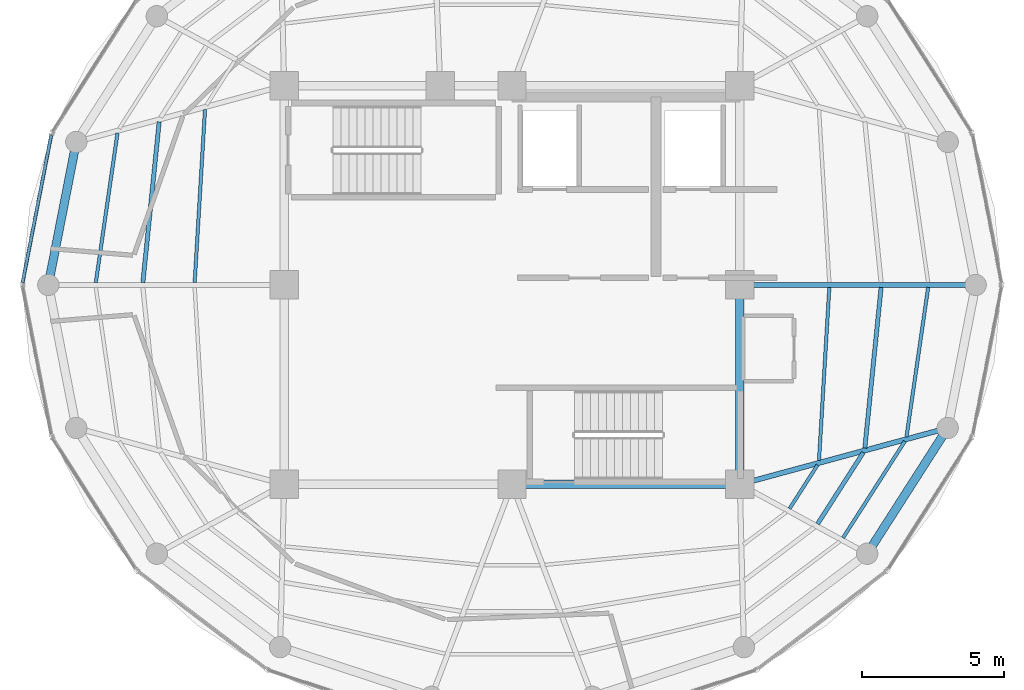
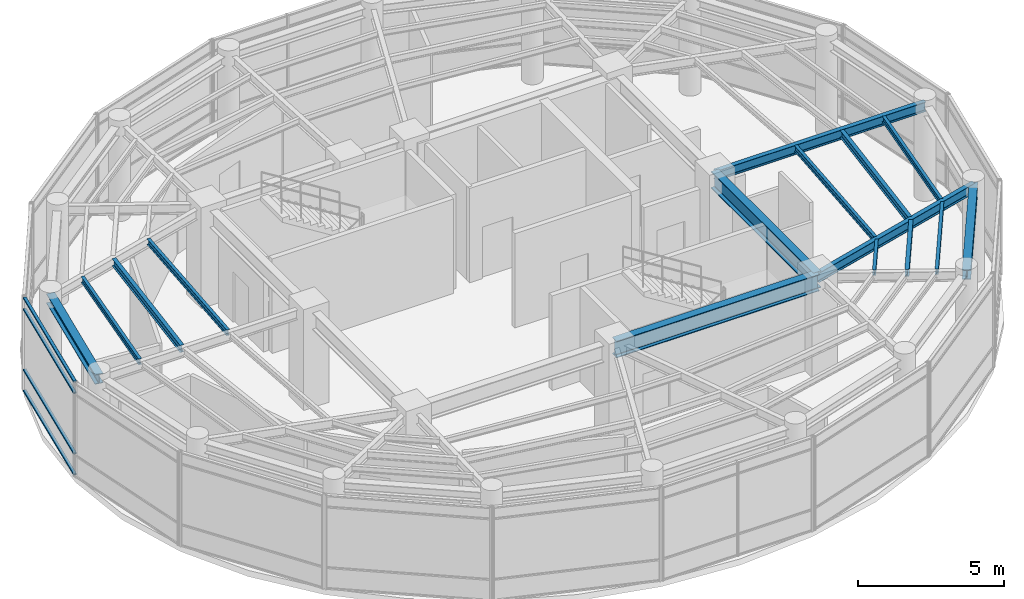
# One storey, part 8 of 19: 15 beams, 4 members, 1 element without a shape of its own.
"""IFC4 building model written with IfcOpenShell, lengths in metres."""

import ifcopenshell
import ifcopenshell.guid

model = None  # the IFC model being written
_history = None  # IfcOwnerHistory: only IFC2X3 demands one
_inside = {}  # id of a spatial element -> (the spatial element, [elements in it])
_under = {}  # id of a project, library or spatial element -> (it, [spatial elements below it])
_declared = {}  # id of a project -> (the project, [libraries it declares])
_typed = {}  # id of a type object -> (the type object, [elements of that type])
_made_of = {}  # id of a material, layer set ... -> (it, [elements and type objects made of it])


def new_model(schema):
    """Start an empty IFC model of exactly this schema.

    Asked for "IFC4X3", IfcOpenShell would pick the latest addendum, in which some entities
    have other attributes; the version numbers below select the first issue.
    IFC2X3 requires an IfcOwnerHistory on every rooted entity: one is made here for all.
    """
    global model, _history
    if schema == "IFC4X3":
        model = ifcopenshell.file(schema_version=(4, 3, 0, 0))
    else:
        model = ifcopenshell.file(schema=schema)
    _inside.clear()
    _under.clear()
    _declared.clear()
    _typed.clear()
    _made_of.clear()
    _history = None
    if model.schema == "IFC2X3":
        org = make("IfcOrganization", Name="unknown")
        user = make(
            "IfcPersonAndOrganization",
            ThePerson=make("IfcPerson", FamilyName="unknown"),
            TheOrganization=org,
        )
        app = make(
            "IfcApplication",
            ApplicationDeveloper=org,
            Version="unknown",
            ApplicationFullName="unknown",
            ApplicationIdentifier="unknown",
        )
        _history = make(
            "IfcOwnerHistory",
            OwningUser=user,
            OwningApplication=app,
            ChangeAction="ADDED",
            CreationDate=0,
        )
    return model


def make(cls, **values):
    """One entity of the class cls with the attributes given. An attribute that is None is left unset."""
    return model.create_entity(
        cls, **{name: value for name, value in values.items() if value is not None}
    )


def rooted(cls, **values):
    """An entity with a GlobalId (a new one), such as an element, a storey or a relation."""
    return make(cls, GlobalId=ifcopenshell.guid.new(), OwnerHistory=_history, **values)


def si_unit(unit_type, name, prefix=None):
    """IfcSIUnit, for example si_unit("LENGTHUNIT", "METRE", prefix="MILLI")."""
    return make("IfcSIUnit", UnitType=unit_type, Prefix=prefix, Name=name)


def assignment(units):
    """IfcUnitAssignment: the units of a project."""
    return None if units is None else make("IfcUnitAssignment", Units=units)


def point(xyz):
    """IfcCartesianPoint."""
    return None if xyz is None else make("IfcCartesianPoint", Coordinates=xyz)


def direction(xyz):
    """IfcDirection."""
    return None if xyz is None else make("IfcDirection", DirectionRatios=xyz)


def frame(location, z_axis=None, x_axis=None):
    """IfcAxis2Placement3D, a coordinate frame: its origin and axes. An axis left out is left unset."""
    return make(
        "IfcAxis2Placement3D",
        Location=point(location),
        Axis=direction(z_axis),
        RefDirection=direction(x_axis),
    )


def frame_2d(location, x_axis=None):
    """IfcAxis2Placement2D, a coordinate frame in the plane: its origin and x axis."""
    return make(
        "IfcAxis2Placement2D", Location=point(location), RefDirection=direction(x_axis)
    )


def origin():
    """The frame at (0, 0, 0) with its axes left unset."""
    return frame((0.0, 0.0, 0.0))


def origin_2d():
    """The frame at (0, 0) in the plane with its x axis left unset."""
    return frame_2d((0.0, 0.0))


def place(relative_to, where):
    """IfcLocalPlacement: puts the frame where relative to a parent placement (None: the world)."""
    return make(
        "IfcLocalPlacement", PlacementRelTo=relative_to, RelativePlacement=where
    )


def context(
    kind, dimensions, precision=None, world=None, true_north=None, identifier=None
):
    """IfcGeometricRepresentationContext, for example the 3D "Model" context."""
    return make(
        "IfcGeometricRepresentationContext",
        ContextIdentifier=identifier,
        ContextType=kind,
        CoordinateSpaceDimension=dimensions,
        Precision=precision,
        WorldCoordinateSystem=world,
        TrueNorth=true_north,
    )


def subcontext(parent, identifier, kind, view, scale=None):
    """IfcGeometricRepresentationSubContext, for example "Body" below "Model"."""
    return make(
        "IfcGeometricRepresentationSubContext",
        ContextIdentifier=identifier,
        ContextType=kind,
        ParentContext=parent,
        TargetScale=scale,
        TargetView=view,
    )


def project(units=None, contexts=None):
    """IfcProject with its units and contexts."""
    return rooted(
        "IfcProject",
        Name="project",
        RepresentationContexts=contexts,
        UnitsInContext=assignment(units),
    )


def spatial(cls, under=None, at=None, **own):
    """A site, building, storey or space (cls), placed at a placement, below another one or the project."""
    s = rooted(cls, ObjectPlacement=at, **own)
    if under is not None:
        _under.setdefault(under.id(), (under, []))[1].append(s)
    return s


def profile(cls, at=None, kind="AREA", **sizes):
    """A parametric profile (cls). Its sizes go by their IFC names, for example OverallWidth=200.0."""
    return make(cls, ProfileType=kind, Position=at, **sizes)


def hollow_rectangle(**sizes):
    """IfcRectangleHollowProfileDef."""
    return profile("IfcRectangleHollowProfileDef", **sizes)


def i_section(**sizes):
    """IfcIShapeProfileDef."""
    return profile("IfcIShapeProfileDef", **sizes)


def extrude(swept, where, along, depth):
    """IfcExtrudedAreaSolid: the profile swept, set in the frame where, extruded along a direction by depth."""
    return make(
        "IfcExtrudedAreaSolid",
        SweptArea=swept,
        Position=where,
        ExtrudedDirection=direction(along),
        Depth=depth,
    )


def shape(context_of_items, identifier, shape_type, items):
    """IfcShapeRepresentation: the items that make up one representation, for example the "Body"."""
    return make(
        "IfcShapeRepresentation",
        ContextOfItems=context_of_items,
        RepresentationIdentifier=identifier,
        RepresentationType=shape_type,
        Items=items,
    )


def material(Name=None, Category=None):
    """IfcMaterial."""
    return make("IfcMaterial", Name=Name, Category=Category)


def layer(
    of_material, thickness, ventilated=None, Name=None, Category=None, Priority=None
):
    """IfcMaterialLayer: one layer of a wall or slab, of a material (None: an air gap)."""
    return make(
        "IfcMaterialLayer",
        Material=of_material,
        LayerThickness=thickness,
        IsVentilated=ventilated,
        Name=Name,
        Category=Category,
        Priority=Priority,
    )


def layer_set(layers, Name=None):
    """IfcMaterialLayerSet."""
    return make("IfcMaterialLayerSet", MaterialLayers=layers, LayerSetName=Name)


def material_profile(
    of_material, cross_section, Name=None, Category=None, Priority=None
):
    """IfcMaterialProfile: a cross section and its material."""
    return make(
        "IfcMaterialProfile",
        Name=Name,
        Material=of_material,
        Profile=cross_section,
        Priority=Priority,
        Category=Category,
    )


def profile_set(profiles, Name=None, composite=None):
    """IfcMaterialProfileSet."""
    return make(
        "IfcMaterialProfileSet",
        Name=Name,
        MaterialProfiles=profiles,
        CompositeProfile=composite,
    )


def made_of(thing, what):
    """Note that an element or type object is made of a material, layer set ...; save() writes the relation."""
    if what is not None:
        _made_of.setdefault(what.id(), (what, []))[1].append(thing)
    return thing


def type_object(cls, material=None, **own):
    """A type object (cls), such as IfcWallType, which elements share."""
    return made_of(rooted(cls, **own), material)


def element(
    cls,
    number,
    at=None,
    inside=None,
    cuts=None,
    type_object=None,
    material=None,
    context=None,
    identifier="Body",
    shape_type=None,
    held_by="IfcProductDefinitionShape",
    body=None,
    shapes=None,
    **own,
):
    """One element of the class cls, such as IfcWall. Its Tag is "e" and its number.

    at: its placement. inside: the storey or other place that contains it. cuts: it is an
    opening in that element (IfcRelVoidsElement). A single representation is given by context,
    identifier, shape_type and body (its items); several are given by shapes. held_by: the class
    of the entity that holds the representations. save() writes the other relations.
    """
    e = rooted(cls, Tag="e%d" % number, ObjectPlacement=at, **own)
    if body is not None:
        shapes = [shape(context, identifier, shape_type, body)]
    if shapes is not None:
        e.Representation = make(held_by, Representations=shapes)
    if inside is not None:
        _inside.setdefault(inside.id(), (inside, []))[1].append(e)
    if cuts is not None:
        rooted(
            "IfcRelVoidsElement", RelatingBuildingElement=cuts, RelatedOpeningElement=e
        )
    if type_object is not None:
        _typed.setdefault(type_object.id(), (type_object, []))[1].append(e)
    return made_of(e, material)


def aggregate(whole, parts):
    """IfcRelAggregates: a whole, such as a stair, and the parts it consists of."""
    return rooted("IfcRelAggregates", RelatingObject=whole, RelatedObjects=parts)


def save(model, path):
    """Write the relations noted so far, then the file.

    IfcRelAggregates (storeys below a building ...), IfcRelContainedInSpatialStructure (elements
    in a storey), IfcRelDefinesByType, IfcRelAssociatesMaterial and IfcRelDeclares: one each for
    every whole, place, type object, material and project.
    """
    for whole, parts in _under.values():
        aggregate(whole, parts)
    for where, things in _inside.values():
        rooted(
            "IfcRelContainedInSpatialStructure",
            RelatedElements=things,
            RelatingStructure=where,
        )
    for kind, things in _typed.values():
        rooted("IfcRelDefinesByType", RelatedObjects=things, RelatingType=kind)
    for what, things in _made_of.values():
        rooted("IfcRelAssociatesMaterial", RelatedObjects=things, RelatingMaterial=what)
    for by, libraries in _declared.values():
        rooted("IfcRelDeclares", RelatingContext=by, RelatedDefinitions=libraries)
    model.write(path)


model = new_model("IFC4")

# Units and contexts
model_context = context("Model", 3, precision=1e-05, world=origin(), true_north=direction((0.0, 1.0)))
body_context = subcontext(model_context, "Body", "Model", "MODEL_VIEW")
ifc_project = project(units=[si_unit("LENGTHUNIT", "METRE"), si_unit("AREAUNIT", "SQUARE_METRE"), si_unit("VOLUMEUNIT", "CUBIC_METRE"), si_unit("PLANEANGLEUNIT", "RADIAN"), si_unit("MASSUNIT", "GRAM", prefix="KILO")], contexts=[model_context])

# Site, building, storey
site_placement = place(None, origin())
site = spatial("IfcSite", under=ifc_project, at=site_placement, CompositionType="ELEMENT")
building_placement = place(site_placement, origin())
building = spatial("IfcBuilding", under=site, at=building_placement, Name="Kelanora Arch Commons", CompositionType="ELEMENT")
storey_placement = place(building_placement, frame((0.0, 0.0, 302.699951171875)))
storey = spatial("IfcBuildingStorey", under=building, at=storey_placement, Name="L77", CompositionType="ELEMENT", Elevation=302.699951171875)

# Beams
ifc_material_1 = material(Name="Steel S355", Category="steel")
ifc_material_profile_1 = material_profile(ifc_material_1, i_section(OverallWidth=0.300048828125, OverallDepth=0.699951171875, WebThickness=0.01708984375, FlangeThickness=0.031982421875, FilletRadius=0.027099609375, at=origin_2d()), Name="HEB700")
ifc_profile_set_1 = profile_set([ifc_material_profile_1], Name="Steel S355")
beam_type_1 = type_object("IfcBeamType", Name="BM-CORE-HDR", PredefinedType="BEAM", material=ifc_profile_set_1)
beam_1_placement = place(storey_placement, frame((74.0, 51.0, 3.590087890625), z_axis=(1.0, 0.0, 0.0), x_axis=(0.0, 1.0, 0.0)))
element("IfcBeam", 1, at=beam_1_placement, inside=storey, type_object=beam_type_1, Name="Core Header Beam 02 L77", PredefinedType="BEAM", context=body_context, shape_type="SweptSolid", body=[
    extrude(i_section(OverallWidth=0.300048828125, OverallDepth=0.699951171875, WebThickness=0.01708984375, FlangeThickness=0.031982421875, FilletRadius=0.027099609375, at=origin_2d()), origin(), (0.0, 0.0, 1.0), 8.0),
])
beam_2_placement = place(storey_placement, frame((82.0, 51.0, 3.590087890625), z_axis=(0.0, 1.0, 0.0), x_axis=(-1.0, 0.0, 0.0)))
element("IfcBeam", 2, at=beam_2_placement, inside=storey, type_object=beam_type_1, Name="Core Header Beam 03 L77", PredefinedType="BEAM", context=body_context, shape_type="SweptSolid", body=[
    extrude(i_section(OverallWidth=0.300048828125, OverallDepth=0.699951171875, WebThickness=0.01708984375, FlangeThickness=0.031982421875, FilletRadius=0.027099609375, at=origin_2d()), origin(), (0.0, 0.0, 1.0), 7.0),
])
ifc_material_profile_2 = material_profile(ifc_material_1, i_section(OverallWidth=0.14990234375, OverallDepth=0.300048828125, WebThickness=0.007080078125, FlangeThickness=0.0107421875, FilletRadius=0.014892578125, at=origin_2d()), Name="IPE300")
ifc_profile_set_2 = profile_set([ifc_material_profile_2], Name="Steel S355")
beam_type_2 = type_object("IfcBeamType", Name="BM-JST-01", PredefinedType="JOIST", material=ifc_profile_set_2)
beam_3_placement = place(storey_placement, frame((61.612548828125, 63.72802734375, 3.7900390625), z_axis=(-0.100846008885, -0.994902046682, 0.0), x_axis=(0.994902046682, -0.100846008885, 0.0)))
element("IfcBeam", 3, at=beam_3_placement, inside=storey, type_object=beam_type_2, Name="Secondary Chord Joist BJB-16 L77", PredefinedType="JOIST", context=body_context, shape_type="SweptSolid", body=[
    extrude(i_section(OverallWidth=0.14990234375, OverallDepth=0.300048828125, WebThickness=0.007080078125, FlangeThickness=0.0107421875, FilletRadius=0.014892578125, at=origin_2d()), origin(), (0.0, 0.0, 1.0), 5.672119140625),
])
beam_4_placement = place(storey_placement, frame((84.728515625, 49.60986328125, 3.7900390625), z_axis=(0.539193378054, 0.84218198809, 0.0), x_axis=(-0.84218198809, 0.539193378054, 0.0)))
element("IfcBeam", 4, at=beam_4_placement, inside=storey, type_object=beam_type_2, Name="Secondary Chord Joist BJB-32 L77", PredefinedType="JOIST", context=body_context, shape_type="SweptSolid", body=[
    extrude(i_section(OverallWidth=0.14990234375, OverallDepth=0.300048828125, WebThickness=0.007080078125, FlangeThickness=0.0107421875, FilletRadius=0.014892578125, at=origin_2d()), origin(), (0.0, 0.0, 1.0), 2.975830078125),
])
beam_5_placement = place(storey_placement, frame((86.387451171875, 52.27197265625, 3.7900390625), z_axis=(0.100846008885, 0.994902046682, 0.0), x_axis=(-0.994902046682, 0.100846008885, 0.0)))
element("IfcBeam", 5, at=beam_5_placement, inside=storey, type_object=beam_type_2, Name="Secondary Chord Joist BJB-34 L77", PredefinedType="JOIST", context=body_context, shape_type="SweptSolid", body=[
    extrude(i_section(OverallWidth=0.14990234375, OverallDepth=0.300048828125, WebThickness=0.007080078125, FlangeThickness=0.0107421875, FilletRadius=0.014892578125, at=origin_2d()), origin(), (0.0, 0.0, 1.0), 5.672119140625),
])
ifc_material_profile_3 = material_profile(ifc_material_1, i_section(OverallWidth=0.1201171875, OverallDepth=0.239990234375, WebThickness=0.006103515625, FlangeThickness=0.009765625, FilletRadius=0.014892578125, at=origin_2d()), Name="IPE240")
ifc_profile_set_3 = profile_set([ifc_material_profile_3], Name="Steel S355")
beam_type_3 = type_object("IfcBeamType", Name="BM-JST-02", PredefinedType="JOIST", material=ifc_profile_set_3)
beam_6_placement = place(storey_placement, frame((63.2216796875, 64.1630859375, 3.820068359375), z_axis=(-0.059619828045, -0.998221155909, 0.0), x_axis=(0.998221155909, -0.059619828045, 0.0)))
element("IfcBeam", 6, at=beam_6_placement, inside=storey, type_object=beam_type_3, Name="Secondary Chord Joist BJA-16 L77", PredefinedType="JOIST", context=body_context, shape_type="SweptSolid", body=[
    extrude(i_section(OverallWidth=0.1201171875, OverallDepth=0.239990234375, WebThickness=0.006103515625, FlangeThickness=0.009765625, FilletRadius=0.014892578125, at=origin_2d()), origin(), (0.0, 0.0, 1.0), 6.089111328125),
])
beam_7_placement = place(storey_placement, frame((60.149169921875, 63.33251953125, 3.820068359375), z_axis=(-0.143489842264, -0.989651789857, 0.0), x_axis=(0.989651789857, -0.143489842264, 0.0)))
element("IfcBeam", 7, at=beam_7_placement, inside=storey, type_object=beam_type_3, Name="Secondary Chord Joist BJC-16 L77", PredefinedType="JOIST", context=body_context, shape_type="SweptSolid", body=[
    extrude(i_section(OverallWidth=0.1201171875, OverallDepth=0.239990234375, WebThickness=0.006103515625, FlangeThickness=0.009765625, FilletRadius=0.014892578125, at=origin_2d()), origin(), (0.0, 0.0, 1.0), 5.303466796875),
])
beam_8_placement = place(storey_placement, frame((83.744873046875, 50.14599609375, 3.820068359375), z_axis=(0.539300812993, 0.842113194947, 0.0), x_axis=(-0.842113194947, 0.539300812993, 0.0)))
element("IfcBeam", 8, at=beam_8_placement, inside=storey, type_object=beam_type_3, Name="Secondary Chord Joist BJA-32 L77", PredefinedType="JOIST", context=body_context, shape_type="SweptSolid", body=[
    extrude(i_section(OverallWidth=0.1201171875, OverallDepth=0.239990234375, WebThickness=0.006103515625, FlangeThickness=0.009765625, FilletRadius=0.014892578125, at=origin_2d()), origin(), (0.0, 0.0, 1.0), 1.822021484375),
])
beam_9_placement = place(storey_placement, frame((85.622802734375, 49.122802734375, 3.820068359375), z_axis=(0.539232732312, 0.842156790867, 0.0), x_axis=(-0.842156790867, 0.539232732312, 0.0)))
element("IfcBeam", 9, at=beam_9_placement, inside=storey, type_object=beam_type_3, Name="Secondary Chord Joist BJC-32 L77", PredefinedType="JOIST", context=body_context, shape_type="SweptSolid", body=[
    extrude(i_section(OverallWidth=0.1201171875, OverallDepth=0.239990234375, WebThickness=0.006103515625, FlangeThickness=0.009765625, FilletRadius=0.014892578125, at=origin_2d()), origin(), (0.0, 0.0, 1.0), 4.024169921875),
])
beam_10_placement = place(storey_placement, frame((84.7783203125, 51.8369140625, 3.820068359375), z_axis=(0.059619828045, 0.998221155909, 0.0), x_axis=(-0.998221155909, 0.059619828045, 0.0)))
element("IfcBeam", 10, at=beam_10_placement, inside=storey, type_object=beam_type_3, Name="Secondary Chord Joist BJA-34 L77", PredefinedType="JOIST", context=body_context, shape_type="SweptSolid", body=[
    extrude(i_section(OverallWidth=0.1201171875, OverallDepth=0.239990234375, WebThickness=0.006103515625, FlangeThickness=0.009765625, FilletRadius=0.014892578125, at=origin_2d()), origin(), (0.0, 0.0, 1.0), 6.089111328125),
])
beam_11_placement = place(storey_placement, frame((87.850830078125, 52.66748046875, 3.820068359375), z_axis=(0.143489842264, 0.989651789857, 0.0), x_axis=(-0.989651789857, 0.143489842264, 0.0)))
element("IfcBeam", 11, at=beam_11_placement, inside=storey, type_object=beam_type_3, Name="Secondary Chord Joist BJC-34 L77", PredefinedType="JOIST", context=body_context, shape_type="SweptSolid", body=[
    extrude(i_section(OverallWidth=0.1201171875, OverallDepth=0.239990234375, WebThickness=0.006103515625, FlangeThickness=0.009765625, FilletRadius=0.014892578125, at=origin_2d()), origin(), (0.0, 0.0, 1.0), 5.303466796875),
])
ifc_material_profile_4 = material_profile(ifc_material_1, i_section(OverallWidth=0.179931640625, OverallDepth=0.39990234375, WebThickness=0.008544921875, FlangeThickness=0.013427734375, FilletRadius=0.02099609375, at=origin_2d()), Name="IPE400")
ifc_profile_set_4 = profile_set([ifc_material_profile_4], Name="Steel S355")
beam_type_4 = type_object("IfcBeamType", Name="BM-RAD-Z5", PredefinedType="BEAM", material=ifc_profile_set_4)
beam_12_placement = place(storey_placement, frame((82.0, 58.0, 3.739990234375), z_axis=(1.0, 0.0, 0.0), x_axis=(0.0, 1.0, 0.0)))
element("IfcBeam", 12, at=beam_12_placement, inside=storey, type_object=beam_type_4, Name="Radial Floor Girder BR-00 L77", PredefinedType="BEAM", context=body_context, shape_type="SweptSolid", body=[
    extrude(i_section(OverallWidth=0.179931640625, OverallDepth=0.39990234375, WebThickness=0.008544921875, FlangeThickness=0.013427734375, FilletRadius=0.02099609375, at=origin_2d()), origin(), (0.0, 0.0, 1.0), 8.280029296875),
])
beam_13_placement = place(storey_placement, frame((82.0, 51.0, 3.739990234375), z_axis=(0.965145027625, 0.26171563891, 0.0), x_axis=(-0.26171563891, 0.965145027625, 0.0)))
element("IfcBeam", 13, at=beam_13_placement, inside=storey, type_object=beam_type_4, Name="Radial Floor Girder BR-34 L77", PredefinedType="BEAM", context=body_context, shape_type="SweptSolid", body=[
    extrude(i_section(OverallWidth=0.179931640625, OverallDepth=0.39990234375, WebThickness=0.008544921875, FlangeThickness=0.013427734375, FilletRadius=0.02099609375, at=origin_2d()), origin(), (0.0, 0.0, 1.0), 7.561767578125),
])
ifc_material_profile_5 = material_profile(ifc_material_1, i_section(OverallWidth=0.300048828125, OverallDepth=0.39990234375, WebThickness=0.013427734375, FlangeThickness=0.02392578125, FilletRadius=0.027099609375, at=origin_2d()), Name="HEB400")
ifc_profile_set_5 = profile_set([ifc_material_profile_5], Name="Steel S355")
beam_type_5 = type_object("IfcBeamType", Name="BM-SPN-Z4", PredefinedType="SPANDREL", material=ifc_profile_set_5)
beam_14_placement = place(storey_placement, frame((58.701904296875, 63.02099609375, 3.739990234375), z_axis=(-0.191929675955, -0.981408681176, 0.0), x_axis=(0.981408681176, -0.191929675955, 0.0)))
element("IfcBeam", 14, at=beam_14_placement, inside=storey, type_object=beam_type_5, Name="Perimeter Spandrel Beam BS-16 L77", PredefinedType="SPANDREL", context=body_context, shape_type="SweptSolid", body=[
    extrude(i_section(OverallWidth=0.300048828125, OverallDepth=0.39990234375, WebThickness=0.013427734375, FlangeThickness=0.02392578125, FilletRadius=0.027099609375, at=origin_2d()), origin(), (0.0, 0.0, 1.0), 5.1162109375),
])
beam_15_placement = place(storey_placement, frame((86.47119140625, 48.56396484375, 3.739990234375), z_axis=(0.53922680048, 0.842160588987, 0.0), x_axis=(-0.842160588987, 0.53922680048, 0.0)))
element("IfcBeam", 15, at=beam_15_placement, inside=storey, type_object=beam_type_5, Name="Perimeter Spandrel Beam BS-32 L77", PredefinedType="SPANDREL", context=body_context, shape_type="SweptSolid", body=[
    extrude(i_section(OverallWidth=0.300048828125, OverallDepth=0.39990234375, WebThickness=0.013427734375, FlangeThickness=0.02392578125, FilletRadius=0.027099609375, at=origin_2d()), origin(), (0.0, 0.0, 1.0), 5.242431640625),
])

# Curtain wall, members
ifc_material_2 = material(Name="Terracotta ceramic-fritted low-E glass and aluminium", Category="masonry")
ifc_layer = layer(ifc_material_2, 0.14990234375)
ifc_layer_set = layer_set([ifc_layer], Name="Terracotta ceramic-fritted low-E glass and aluminium")
curtain_wall_type = type_object("IfcCurtainWallType", Name="CW-SYS-06", PredefinedType="NOTDEFINED", material=ifc_layer_set)
curtain_wall_placement = place(storey_placement, origin())
curtain_wall = element("IfcCurtainWall", 16, at=curtain_wall_placement, inside=storey, type_object=curtain_wall_type, Name="Unitised Curtain Wall L77-B08", PredefinedType="NOTDEFINED")
ifc_material_3 = material(Name="Powder-coated aluminium terracotta", Category="masonry")
ifc_material_profile_6 = material_profile(ifc_material_3, hollow_rectangle(XDim=0.1201171875, YDim=0.06005859375, WallThickness=0.0048828125, InnerFilletRadius=0.0048828125, OuterFilletRadius=0.010009765625, at=origin_2d()), Name="CWT120x60")
ifc_profile_set_6 = profile_set([ifc_material_profile_6], Name="Powder-coated aluminium terracotta")
member_type = type_object("IfcMemberType", Name="CWT-STD", PredefinedType="USERDEFINED", material=ifc_profile_set_6)
member_1_placement = place(storey_placement, frame((57.822998046875, 63.261962890625, 0.030029296875), z_axis=(-0.190810315943, -0.981626926755, 0.0), x_axis=(0.981626926755, -0.190810315943, 0.0)))
member_1 = element("IfcMember", 17, at=member_1_placement, type_object=member_type, Name="CW-06 transom 1.1", ObjectType="TRANSOM", PredefinedType="USERDEFINED", context=body_context, shape_type="SweptSolid", body=[
    extrude(hollow_rectangle(XDim=0.1201171875, YDim=0.06005859375, WallThickness=0.0048828125, InnerFilletRadius=0.0048828125, OuterFilletRadius=0.010009765625, at=origin_2d()), origin(), (0.0, 0.0, 1.0), 5.28564453125),
])
member_2_placement = place(storey_placement, frame((57.822998046875, 63.261962890625, 0.900146484375), z_axis=(-0.190810315943, -0.981626926755, 0.0), x_axis=(0.981626926755, -0.190810315943, 0.0)))
member_2 = element("IfcMember", 18, at=member_2_placement, type_object=member_type, Name="CW-06 transom 1.2", ObjectType="TRANSOM", PredefinedType="USERDEFINED", context=body_context, shape_type="SweptSolid", body=[
    extrude(hollow_rectangle(XDim=0.1201171875, YDim=0.06005859375, WallThickness=0.0048828125, InnerFilletRadius=0.0048828125, OuterFilletRadius=0.010009765625, at=origin_2d()), origin(), (0.0, 0.0, 1.0), 5.28564453125),
])
member_3_placement = place(storey_placement, frame((57.822998046875, 63.261962890625, 3.425048828125), z_axis=(-0.190810315943, -0.981626926755, 0.0), x_axis=(0.981626926755, -0.190810315943, 0.0)))
member_3 = element("IfcMember", 19, at=member_3_placement, type_object=member_type, Name="CW-06 transom 1.3", ObjectType="TRANSOM", PredefinedType="USERDEFINED", context=body_context, shape_type="SweptSolid", body=[
    extrude(hollow_rectangle(XDim=0.1201171875, YDim=0.06005859375, WallThickness=0.0048828125, InnerFilletRadius=0.0048828125, OuterFilletRadius=0.010009765625, at=origin_2d()), origin(), (0.0, 0.0, 1.0), 5.28564453125),
])
member_4_placement = place(storey_placement, frame((57.822998046875, 63.261962890625, 3.89501953125), z_axis=(-0.190810315943, -0.981626926755, 0.0), x_axis=(0.981626926755, -0.190810315943, 0.0)))
member_4 = element("IfcMember", 20, at=member_4_placement, type_object=member_type, Name="CW-06 transom 1.4", ObjectType="TRANSOM", PredefinedType="USERDEFINED", context=body_context, shape_type="SweptSolid", body=[
    extrude(hollow_rectangle(XDim=0.1201171875, YDim=0.06005859375, WallThickness=0.0048828125, InnerFilletRadius=0.0048828125, OuterFilletRadius=0.010009765625, at=origin_2d()), origin(), (0.0, 0.0, 1.0), 5.28564453125),
])
aggregate(curtain_wall, [member_1, member_2, member_3, member_4])

save(model, "model.ifc")
